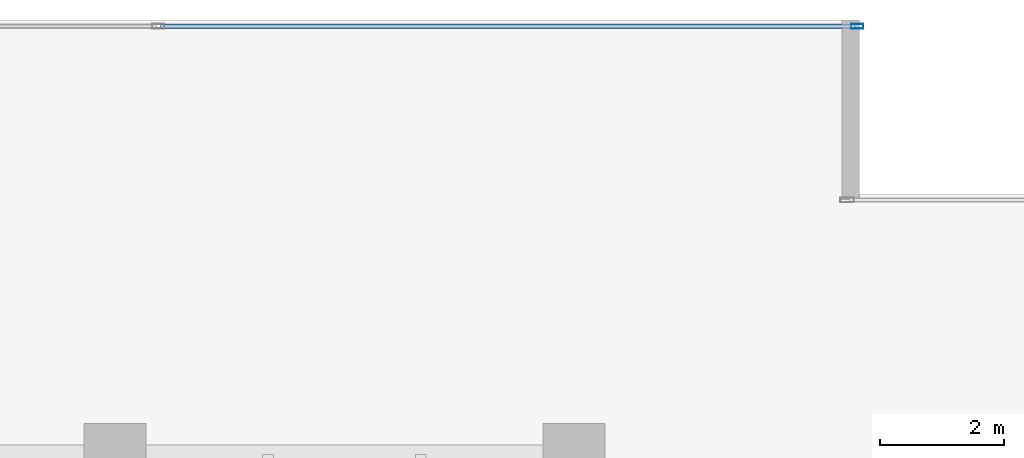
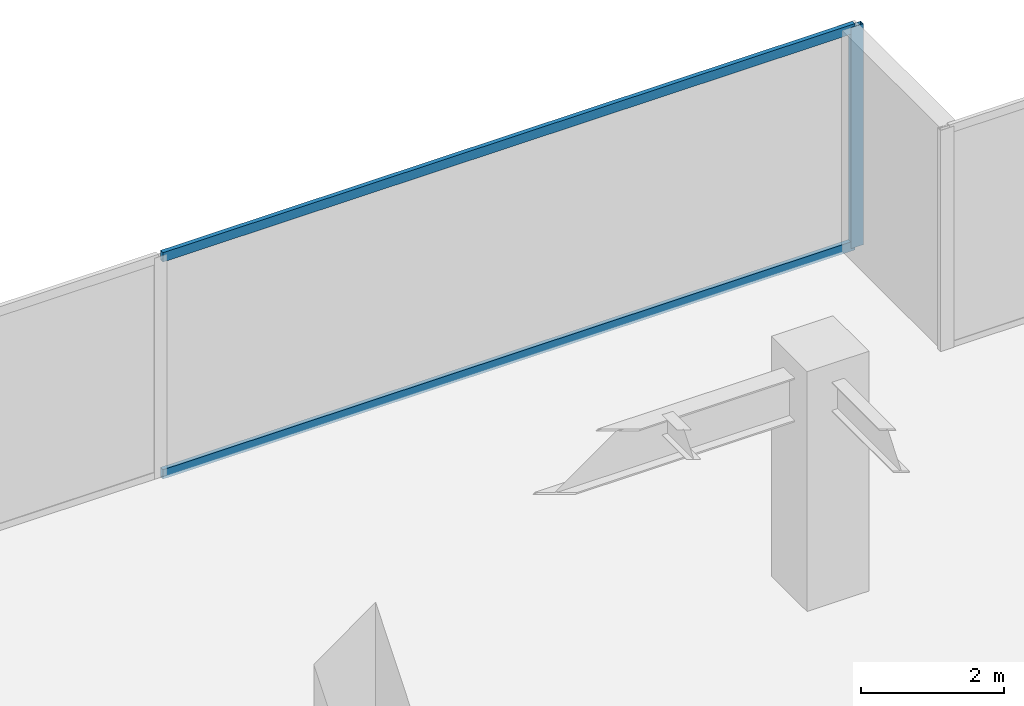
# One storey, part 27 of 35: 3 members, 1 element without a shape of its own.
"""IFC4 building model written with IfcOpenShell, lengths in metres."""

from ifc_helpers import new_model, si_unit, direction, frame, origin, origin_2d, place, context, subcontext, project, spatial, hollow_rectangle, extrude, source, transform, mapped, material, layer, layer_set, material_profile, profile_set, type_object, type_shapes, element, aggregate, save


model = new_model("IFC4")

# Units and contexts
model_context = context("Model", 3, precision=1e-05, world=origin(), true_north=direction((0.0, 1.0)))
body_context = subcontext(model_context, "Body", "Model", "MODEL_VIEW")
ifc_project = project(units=[si_unit("LENGTHUNIT", "METRE"), si_unit("AREAUNIT", "SQUARE_METRE"), si_unit("VOLUMEUNIT", "CUBIC_METRE"), si_unit("PLANEANGLEUNIT", "RADIAN"), si_unit("MASSUNIT", "GRAM", prefix="KILO")], contexts=[model_context])

# Site, building, storey
site_placement = place(None, origin())
site = spatial("IfcSite", under=ifc_project, at=site_placement, CompositionType="ELEMENT")
building_placement = place(site_placement, origin())
building = spatial("IfcBuilding", under=site, at=building_placement, Name="Haelvirn Gate Laboratories", CompositionType="ELEMENT")
storey_placement = place(building_placement, frame((0.0, 0.0, 37.5)))
storey = spatial("IfcBuildingStorey", under=building, at=storey_placement, Name="L09", CompositionType="ELEMENT", Elevation=37.5)

# Curtain wall, members
ifc_material_1 = material(Name="Anodised bronze unitised aluminium & triple low-E glass", Category="aluminium")
ifc_layer = layer(ifc_material_1, 0.18408203125, Name="CW-SYS-2")
ifc_layer_set = layer_set([ifc_layer], Name="Anodised bronze unitised aluminium & triple low-E glass")
curtain_wall_type = type_object("IfcCurtainWallType", Name="CW-SYS-2", PredefinedType="NOTDEFINED", material=ifc_layer_set)
curtain_wall_placement = place(storey_placement, origin())
curtain_wall = element("IfcCurtainWall", 1, at=curtain_wall_placement, inside=storey, type_object=curtain_wall_type, Name="L09 Unitised Curtain Wall CW-L09-P0-E10-1", PredefinedType="NOTDEFINED")
ifc_material_2 = material(Name="Extruded aluminium 6063-T6 (anodised bronze)", Category="aluminium")
ifc_material_profile_1 = material_profile(ifc_material_2, hollow_rectangle(XDim=0.074951171875, YDim=0.199951171875, WallThickness=0.0048828125, at=origin_2d()), Name="CWM-200x75x5")
ifc_profile_set_1 = profile_set([ifc_material_profile_1], Name="Extruded aluminium 6063-T6 (anodised bronze)")
member_type_1 = type_object("IfcMemberType", Name="CWM-T200", PredefinedType="MULLION", material=ifc_profile_set_1)
shared_shape_1 = source(origin(), body_context, "Body", "SweptSolid", [
    extrude(hollow_rectangle(XDim=0.074951171875, YDim=0.199951171875, WallThickness=0.0048828125, at=origin_2d()), origin(), (0.0, 0.0, 1.0), 3.780029296875),
])
type_shapes(member_type_1, [shared_shape_1])
member_1_placement = place(storey_placement, frame((71.96240234375, 48.5, 0.0), z_axis=(0.0, 0.0, 1.0), x_axis=(0.0, 1.0, 0.0)))
member_1 = element("IfcMember", 2, at=member_1_placement, type_object=member_type_1, Name="CW2 mullion 3", PredefinedType="MULLION", context=body_context, shape_type="MappedRepresentation", body=[
    mapped(shared_shape_1, transform((0.0, 0.0, 0.0), scale=1.0)),
])
ifc_material_profile_2 = material_profile(ifc_material_2, hollow_rectangle(XDim=0.070068359375, YDim=0.159912109375, WallThickness=0.0048828125, at=origin_2d()), Name="CWT-160x70x5")
ifc_profile_set_2 = profile_set([ifc_material_profile_2], Name="Extruded aluminium 6063-T6 (anodised bronze)")
member_type_2 = type_object("IfcMemberType", Name="CWT-T160", PredefinedType="USERDEFINED", material=ifc_profile_set_2)
shared_shape_2 = source(origin(), body_context, "Body", "SweptSolid", [
    extrude(hollow_rectangle(XDim=0.070068359375, YDim=0.159912109375, WallThickness=0.0048828125, at=origin_2d()), origin(), (0.0, 0.0, 1.0), 11.1875),
])
type_shapes(member_type_2, [shared_shape_2])
member_2_placement = place(storey_placement, frame((60.737548828125, 48.5, 0.034912109375), z_axis=(1.0, 0.0, 0.0), x_axis=(0.0, 1.0, 0.0)))
member_2 = element("IfcMember", 3, at=member_2_placement, type_object=member_type_2, Name="CW2 transom 2.1", ObjectType="TRANSOM", PredefinedType="USERDEFINED", context=body_context, shape_type="MappedRepresentation", body=[
    mapped(shared_shape_2, transform((0.0, 0.0, 0.0), scale=1.0)),
])
member_3_placement = place(storey_placement, frame((60.737548828125, 48.5, 3.7451171875), z_axis=(1.0, 0.0, 0.0), x_axis=(0.0, 1.0, 0.0)))
member_3 = element("IfcMember", 4, at=member_3_placement, type_object=member_type_2, Name="CW2 transom 2.2", ObjectType="TRANSOM", PredefinedType="USERDEFINED", context=body_context, shape_type="MappedRepresentation", body=[
    mapped(shared_shape_2, transform((0.0, 0.0, 0.0), scale=1.0)),
])
aggregate(curtain_wall, [member_1, member_2, member_3])

save(model, "model.ifc")
